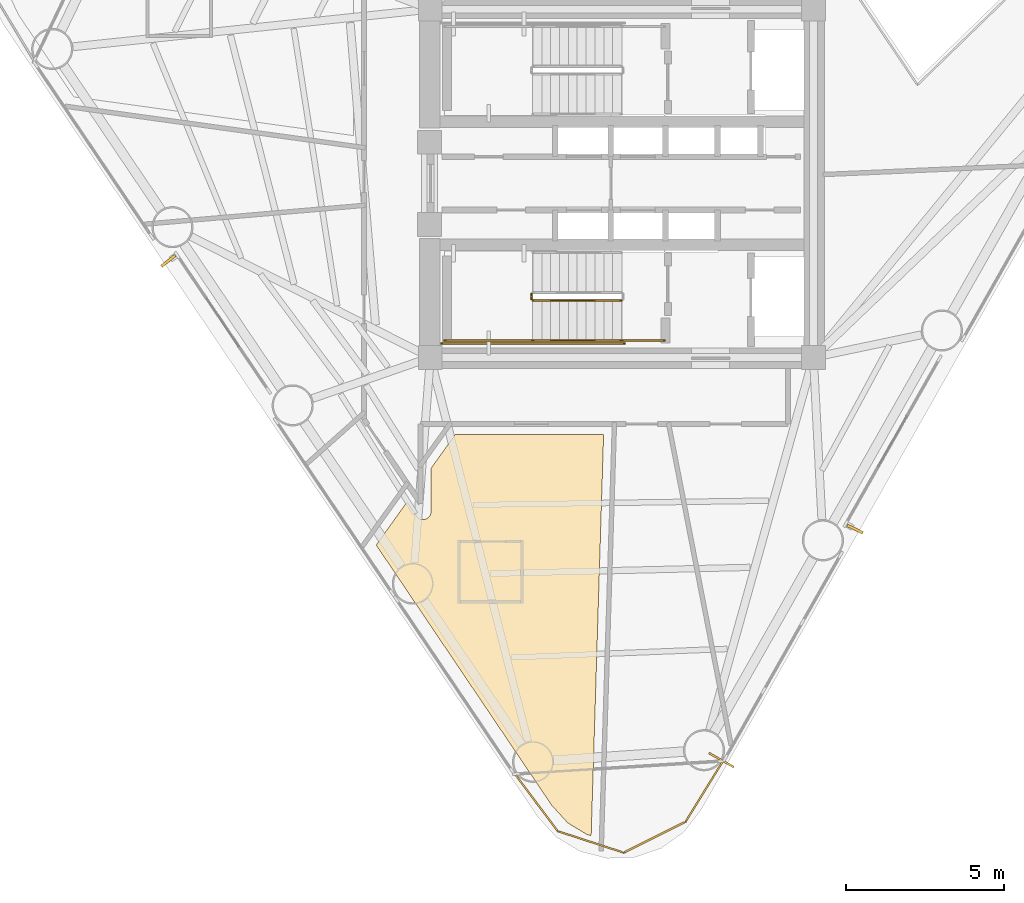
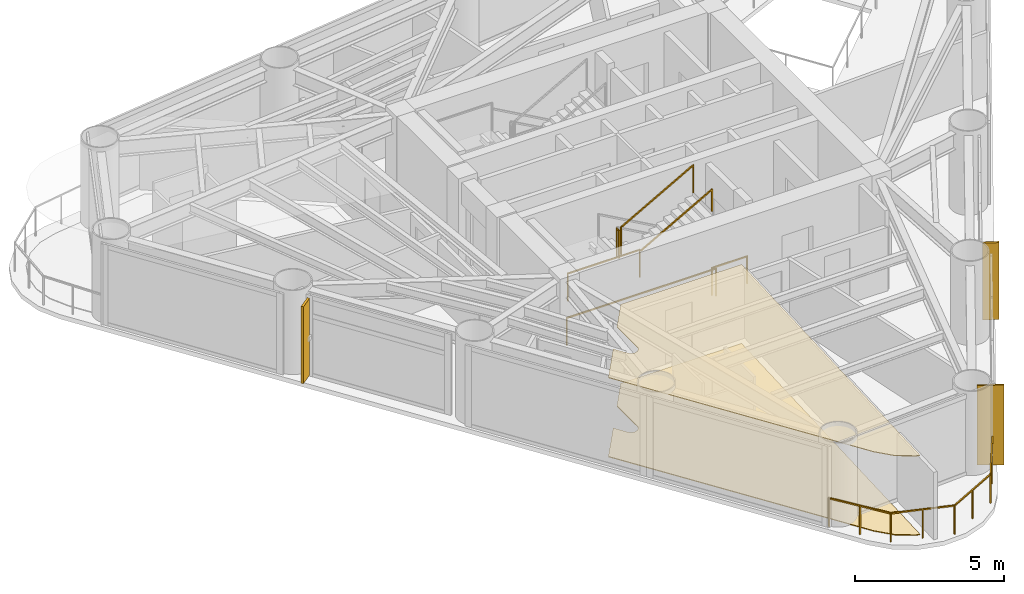
# One storey, part 7 of 9: 7 railings, 3 coverings, 2 shading devices.
"""IFC4 building model written with IfcOpenShell, lengths in metres."""

from ifc_helpers import new_model, si_unit, direction, frame, origin, origin_2d, place, context, subcontext, project, spatial, polyline, rectangle, outline, extrude, source, transform, mapped, material, layer, layer_set, material_profile, profile_set, type_object, element, save


model = new_model("IFC4")

# Units and contexts
model_context = context("Model", 3, precision=1e-05, world=origin(), true_north=direction((0.0, 1.0)))
body_context = subcontext(model_context, "Body", "Model", "MODEL_VIEW")
ifc_project = project(units=[si_unit("LENGTHUNIT", "METRE"), si_unit("AREAUNIT", "SQUARE_METRE"), si_unit("VOLUMEUNIT", "CUBIC_METRE"), si_unit("PLANEANGLEUNIT", "RADIAN"), si_unit("MASSUNIT", "GRAM", prefix="KILO")], contexts=[model_context])

# Site, building, storey
site_placement = place(None, origin())
site = spatial("IfcSite", under=ifc_project, at=site_placement, CompositionType="ELEMENT")
building_placement = place(site_placement, origin())
building = spatial("IfcBuilding", under=site, at=building_placement, Name="Yunling Apex Tower", CompositionType="ELEMENT")
storey_placement = place(building_placement, frame((0.0, 0.0, 179.449951171875)))
storey = spatial("IfcBuildingStorey", under=building, at=storey_placement, Name="L44", CompositionType="ELEMENT", Elevation=179.449951171875)

# Coverings
ifc_material_1 = material(Name="Acoustic mineral fibre ceiling")
ifc_layer_1 = layer(ifc_material_1, 0.02490234375)
ifc_layer_set_1 = layer_set([ifc_layer_1], Name="Acoustic mineral fibre ceiling")
covering_type_1 = type_object("IfcCoveringType", Name="CV-CLG-1", PredefinedType="CEILING", material=ifc_layer_set_1)
covering_1_placement = place(storey_placement, frame((0.0, 0.0, 3.2451171875)))
element("IfcCovering", 1, at=covering_1_placement, inside=storey, type_object=covering_type_1, Name="CV-CL-SP-L44-GR03", PredefinedType="CEILING", context=body_context, shape_type="SweptSolid", body=[
    extrude(outline(polyline([(-1.097412109375, -20.57421875), (-1.708251953125, -20.206298828125), (-2.216552734375, -19.648193359375), (-7.76171875, -11.427001953125), (-6.78759765625, -10.063720703125), (-6.48291015625, -10.515380859375), (-6.47119140625, -10.5302734375), (-6.456787109375, -10.546142578125), (-6.438720703125, -10.562744140625), (-6.417236328125, -10.578369140625), (-6.398193359375, -10.58935546875), (-6.374755859375, -10.601318359375), (-6.34912109375, -10.609619140625), (-6.331298828125, -10.614013671875), (-6.305419921875, -10.618408203125), (-6.27587890625, -10.619384765625), (-6.25439453125, -10.617919921875), (-6.233154296875, -10.614990234375), (-6.20703125, -10.608642578125), (-6.182373046875, -10.599609375), (-6.161376953125, -10.58935546875), (-6.14306640625, -10.578369140625), (-6.12060546875, -10.5625), (-6.101318359375, -10.544189453125), (-6.0869140625, -10.5283203125), (-6.072265625, -10.508544921875), (-6.05859375, -10.486083984375), (-6.04833984375, -10.4638671875), (-6.040283203125, -10.44091796875), (-6.034912109375, -10.41943359375), (-6.03076171875, -10.39453125), (-6.030029296875, -10.372802734375), (-6.030029296875, -9.00390625), (-5.262451171875, -7.929931640625), (-0.576416015625, -7.929931640625), (-0.9697265625, -20.60693359375), (-1.097412109375, -20.57421875)])), origin(), (0.0, 0.0, 1.0), 0.02490234375),
])
ifc_material_2 = material(Name="Polished granite stone", Category="masonry")
ifc_layer_2 = layer(ifc_material_2, 0.030029296875)
ifc_layer_set_2 = layer_set([ifc_layer_2], Name="Polished granite stone")
covering_type_2 = type_object("IfcCoveringType", Name="CV-FLR-1", PredefinedType="FLOORING", material=ifc_layer_set_2)
covering_2_placement = place(storey_placement, origin())
element("IfcCovering", 2, at=covering_2_placement, inside=storey, type_object=covering_type_2, Name="CV-FL-SP-L44-GR03", PredefinedType="FLOORING", context=body_context, shape_type="SweptSolid", body=[
    extrude(outline(polyline([(-1.097412109375, -20.57421875), (-1.708251953125, -20.206298828125), (-2.216552734375, -19.648193359375), (-7.76171875, -11.427001953125), (-6.78759765625, -10.063720703125), (-6.48291015625, -10.515380859375), (-6.47119140625, -10.5302734375), (-6.456787109375, -10.546142578125), (-6.438720703125, -10.562744140625), (-6.417236328125, -10.578369140625), (-6.398193359375, -10.58935546875), (-6.374755859375, -10.601318359375), (-6.34912109375, -10.609619140625), (-6.331298828125, -10.614013671875), (-6.305419921875, -10.618408203125), (-6.27587890625, -10.619384765625), (-6.25439453125, -10.617919921875), (-6.233154296875, -10.614990234375), (-6.20703125, -10.608642578125), (-6.182373046875, -10.599609375), (-6.161376953125, -10.58935546875), (-6.14306640625, -10.578369140625), (-6.12060546875, -10.5625), (-6.101318359375, -10.544189453125), (-6.0869140625, -10.5283203125), (-6.072265625, -10.508544921875), (-6.05859375, -10.486083984375), (-6.04833984375, -10.4638671875), (-6.040283203125, -10.44091796875), (-6.034912109375, -10.41943359375), (-6.03076171875, -10.39453125), (-6.030029296875, -10.372802734375), (-6.030029296875, -9.00390625), (-5.262451171875, -7.929931640625), (-0.576416015625, -7.929931640625), (-0.9697265625, -20.60693359375), (-1.097412109375, -20.57421875)])), origin(), (0.0, 0.0, 1.0), 0.030029296875),
])

# Railings
ifc_material_3 = material(Name="Bronze anodised aluminium", Category="aluminium")
railing_type_1 = type_object("IfcRailingType", Name="RL-BAL-1200", PredefinedType="BALUSTRADE", material=ifc_material_3)
railing_1_placement = place(storey_placement, frame((3.195068359375, -18.248046875, 0.0)))
element("IfcRailing", 3, at=railing_1_placement, inside=storey, type_object=railing_type_1, Name="RL-CRNSILL-L44-3", PredefinedType="BALUSTRADE", context=body_context, shape_type="SweptSolid", body=[
    extrude(rectangle(XDim=0.0439453125, YDim=0.0439453125, at=origin_2d()), origin(), (0.0, 0.0, 1.0), 1.199951171875),
    extrude(rectangle(XDim=0.0439453125, YDim=0.0439453125, at=origin_2d()), frame((-1.182861328125, -1.91845703125, 0.0)), (0.0, 0.0, 1.0), 1.199951171875),
    extrude(rectangle(XDim=0.050048828125, YDim=0.050048828125, at=origin_2d()), frame((-0.02001953125, -0.03271484375, 1.1748046875), z_axis=(-0.524828533939, -0.851207971041, 0.0), x_axis=(0.851207971041, -0.524828533939, 0.0)), (0.0, 0.0, 1.0), 2.17724609375),
    extrude(rectangle(XDim=0.0439453125, YDim=0.0439453125, at=origin_2d()), frame((-0.59130859375, -0.959228515625, 0.0)), (0.0, 0.0, 1.0), 1.14599609375),
    extrude(rectangle(XDim=0.0439453125, YDim=0.0439453125, at=origin_2d()), frame((-3.1376953125, -2.895751953125, 0.0)), (0.0, 0.0, 1.0), 1.199951171875),
    extrude(rectangle(XDim=0.050048828125, YDim=0.050048828125, at=origin_2d()), frame((-1.217041015625, -1.935546875, 1.1748046875), z_axis=(-0.894449531573, -0.447168911563, 0.0), x_axis=(0.447168911563, -0.894449531573, 0.0)), (0.0, 0.0, 1.0), 2.10888671875),
    extrude(rectangle(XDim=0.0439453125, YDim=0.0439453125, at=origin_2d()), frame((-2.16015625, -2.4072265625, 0.0)), (0.0, 0.0, 1.0), 1.14599609375),
    extrude(rectangle(XDim=0.0439453125, YDim=0.0439453125, at=origin_2d()), frame((-5.22265625, -2.216552734375, 0.0)), (0.0, 0.0, 1.0), 1.199951171875),
    extrude(rectangle(XDim=0.050048828125, YDim=0.050048828125, at=origin_2d()), frame((-3.174072265625, -2.8837890625, 1.1748046875), z_axis=(-0.950821112954, 0.309740554595, 0.0), x_axis=(-0.309740554595, -0.950821112954, 0.0)), (0.0, 0.0, 1.0), 2.1162109375),
    extrude(rectangle(XDim=0.0439453125, YDim=0.0439453125, at=origin_2d()), frame((-4.18017578125, -2.55615234375, 0.0)), (0.0, 0.0, 1.0), 1.14599609375),
    extrude(rectangle(XDim=0.0439453125, YDim=0.0439453125, at=origin_2d()), frame((-6.572021484375, -0.412841796875, 0.0)), (0.0, 0.0, 1.0), 1.199951171875),
    extrude(rectangle(XDim=0.050048828125, YDim=0.050048828125, at=origin_2d()), frame((-5.24560546875, -2.185791015625, 1.1748046875), z_axis=(-0.599028453381, 0.800727739023, 0.0), x_axis=(-0.800727739023, -0.599028453381, 0.0)), (0.0, 0.0, 1.0), 2.176025390625),
    extrude(rectangle(XDim=0.0439453125, YDim=0.0439453125, at=origin_2d()), frame((-5.8974609375, -1.314697265625, 0.0)), (0.0, 0.0, 1.0), 1.14599609375),
])
ifc_material_4 = material(Name="Steel Q355B", Category="steel")
railing_type_2 = type_object("IfcRailingType", Name="RL-GRD-1150", PredefinedType="GUARDRAIL", material=ifc_material_4)
railing_2_placement = place(storey_placement, frame((-2.860107421875, -3.5, 1.72509765625)))
element("IfcRailing", 4, at=railing_2_placement, inside=storey, type_object=railing_type_2, Name="L44 ST-2 stair guard 2", PredefinedType="GUARDRAIL", context=body_context, shape_type="SweptSolid", body=[
    extrude(rectangle(XDim=0.0439453125, YDim=0.0439453125, at=origin_2d()), origin(), (0.0, 0.0, 1.0), 1.14990234375),
    extrude(rectangle(XDim=0.0439453125, YDim=0.0439453125, at=origin_2d()), frame((0.0, -0.14990234375, 0.0)), (0.0, 0.0, 1.0), 1.14990234375),
    extrude(rectangle(XDim=0.050048828125, YDim=0.050048828125, at=origin_2d()), frame((0.0, -0.038330078125, 1.125), z_axis=(0.0, -1.0, 0.0), x_axis=(1.0, 0.0, 0.0)), (0.0, 0.0, 1.0), 0.0732421875),
])
railing_3_placement = place(storey_placement, frame((-2.81005859375, -4.9599609375, 1.72509765625)))
element("IfcRailing", 5, at=railing_3_placement, inside=storey, type_object=railing_type_2, Name="L44 ST-2 stair guard 3", PredefinedType="GUARDRAIL", context=body_context, shape_type="SweptSolid", body=[
    extrude(rectangle(XDim=0.0439453125, YDim=0.0439453125, at=origin_2d()), origin(), (0.0, 0.0, 1.0), 1.14990234375),
    extrude(rectangle(XDim=0.0439453125, YDim=0.0439453125, at=origin_2d()), frame((-2.7900390625, 0.0, 0.0)), (0.0, 0.0, 1.0), 1.14990234375),
    extrude(rectangle(XDim=0.050048828125, YDim=0.050048828125, at=origin_2d()), frame((-0.038330078125, 0.0, 1.125), z_axis=(-1.0, 0.0, 0.0), x_axis=(0.0, -1.0, 0.0)), (0.0, 0.0, 1.0), 2.71337890625),
])
railing_4_placement = place(storey_placement, frame((-2.81005859375, -3.699951171875, 1.8818359375)))
element("IfcRailing", 6, at=railing_4_placement, inside=storey, type_object=railing_type_2, Name="L44 ST-2 stair guard 4", PredefinedType="GUARDRAIL", context=body_context, shape_type="SweptSolid", body=[
    extrude(rectangle(XDim=0.0439453125, YDim=0.0439453125, at=origin_2d()), origin(), (0.0, 0.0, 1.0), 1.14990234375),
    extrude(rectangle(XDim=0.0439453125, YDim=0.0439453125, at=origin_2d()), frame((2.800048828125, 0.0, 1.568115234375)), (0.0, 0.0, 1.0), 1.14990234375),
    extrude(rectangle(XDim=0.050048828125, YDim=0.050048828125, at=origin_2d()), frame((0.033447265625, 0.0, 1.1435546875), z_axis=(0.872494340497, 0.0, 0.48862421737), x_axis=(0.0, 1.0, 0.0)), (0.0, 0.0, 1.0), 3.132568359375),
])
railing_5_placement = place(storey_placement, frame((1.35009765625, -4.9599609375, 0.0)))
element("IfcRailing", 7, at=railing_5_placement, inside=storey, type_object=railing_type_2, Name="L44 ST-2 stair guard 6", PredefinedType="GUARDRAIL", context=body_context, shape_type="SweptSolid", body=[
    extrude(rectangle(XDim=0.0439453125, YDim=0.0439453125, at=origin_2d()), origin(), (0.0, 0.0, 1.0), 1.14990234375),
    extrude(rectangle(XDim=0.0439453125, YDim=0.0439453125, at=origin_2d()), frame((-1.360107421875, 0.0, 0.0)), (0.0, 0.0, 1.0), 1.14990234375),
    extrude(rectangle(XDim=0.050048828125, YDim=0.050048828125, at=origin_2d()), frame((-0.038330078125, 0.0, 1.125), z_axis=(-1.0, 0.0, 0.0), x_axis=(0.0, -1.0, 0.0)), (0.0, 0.0, 1.0), 1.283447265625),
])
railing_6_placement = place(storey_placement, frame((0.090087890625, -5.06005859375, 0.0)))
element("IfcRailing", 8, at=railing_6_placement, inside=storey, type_object=railing_type_2, Name="L44 ST-2 stair guard 7", PredefinedType="GUARDRAIL", context=body_context, shape_type="SweptSolid", body=[
    extrude(rectangle(XDim=0.0439453125, YDim=0.0439453125, at=origin_2d()), origin(), (0.0, 0.0, 1.0), 1.14990234375),
    extrude(rectangle(XDim=0.0439453125, YDim=0.0439453125, at=origin_2d()), frame((-5.7900390625, 0.0, 0.0)), (0.0, 0.0, 1.0), 1.14990234375),
    extrude(rectangle(XDim=0.050048828125, YDim=0.050048828125, at=origin_2d()), frame((-0.038330078125, 0.0, 1.125), z_axis=(-1.0, 0.0, 0.0), x_axis=(0.0, -1.0, 0.0)), (0.0, 0.0, 1.0), 5.71337890625),
])
ifc_material_5 = material(Name="Silver anodised aluminium", Category="aluminium")
railing_type_3 = type_object("IfcRailingType", Name="RL-HND-900", PredefinedType="HANDRAIL", material=ifc_material_5)
railing_7_placement = place(storey_placement, frame((-2.81005859375, -4.9599609375, 1.8818359375)))
element("IfcRailing", 9, at=railing_7_placement, inside=storey, type_object=railing_type_3, Name="L44 ST-2 stair handrail 2", PredefinedType="HANDRAIL", context=body_context, shape_type="SweptSolid", body=[
    extrude(rectangle(XDim=0.0439453125, YDim=0.0439453125, at=origin_2d()), origin(), (0.0, 0.0, 1.0), 0.919921875),
    extrude(rectangle(XDim=0.0439453125, YDim=0.0439453125, at=origin_2d()), frame((2.800048828125, 0.0, 1.568115234375)), (0.0, 0.0, 1.0), 0.919921875),
    extrude(rectangle(XDim=0.050048828125, YDim=0.050048828125, at=origin_2d()), frame((0.033447265625, 0.0, 0.91357421875), z_axis=(0.872494340497, 0.0, 0.48862421737), x_axis=(0.0, 1.0, 0.0)), (0.0, 0.0, 1.0), 3.132568359375),
])

# Covering
ifc_layer_3 = layer(ifc_material_3, 0.0400390625)
ifc_layer_set_3 = layer_set([ifc_layer_3], Name="Bronze anodised aluminium")
covering_type_3 = type_object("IfcCoveringType", Name="CV-CLD-1", PredefinedType="CLADDING", material=ifc_layer_set_3)
shared_shape_1 = source(origin(), body_context, "Body", "SweptSolid", [
    extrude(rectangle(XDim=0.06005859375, YDim=0.89990234375, at=origin_2d()), origin(), (0.0, 0.0, 1.0), 3.27001953125),
])
covering_3_placement = place(storey_placement, frame((3.142822265625, -18.218505859375, 0.0), z_axis=(0.0, 0.0, 1.0), x_axis=(0.493031062956, 0.87001170737, 0.0)))
element("IfcCovering", 10, at=covering_3_placement, inside=storey, type_object=covering_type_3, Name="CV-CLD-L44", PredefinedType="CLADDING", context=body_context, shape_type="MappedRepresentation", body=[
    mapped(shared_shape_1, transform((0.0, 0.0, 0.0), scale=1.0)),
])

# Shading devices
ifc_material_profile = material_profile(ifc_material_3, rectangle(XDim=0.0849609375, YDim=0.550048828125, at=origin_2d()))
ifc_profile_set = profile_set([ifc_material_profile], Name="Bronze anodised aluminium")
shading_device_type = type_object("IfcShadingDeviceType", Name="FN-BRZ-3", PredefinedType="USERDEFINED", material=ifc_profile_set)
shared_shape_2 = source(origin(), body_context, "Body", "SweptSolid", [
    extrude(rectangle(XDim=0.0849609375, YDim=0.550048828125, at=origin_2d()), origin(), (0.0, 0.0, 1.0), 3.14990234375),
])
for number, where, z_axis, x_axis, name in (
    (11, (7.364501953125, -10.9208984375, 0.06005859375), (0.0, 0.0, 1.0), (0.435073957475, 0.900394719846, 0.0), "CW-L44-F1-B2-FIN-01"),
    (12, (-14.3291015625, -2.45068359375, 0.06005859375), (0.0, 0.0, 1.0), (0.612217280034, -0.790689573744, 0.0), "CW-L44-F3-B2-FIN-01"),
):
    element("IfcShadingDevice", number, at=place(storey_placement, frame(where, z_axis=z_axis, x_axis=x_axis)), inside=storey, type_object=shading_device_type, Name=name, ObjectType="FIN", PredefinedType="USERDEFINED", context=body_context, shape_type="MappedRepresentation", body=[
        mapped(shared_shape_2, transform((0.0, 0.0, 0.0), scale=1.0)),
    ])

save(model, "model.ifc")
